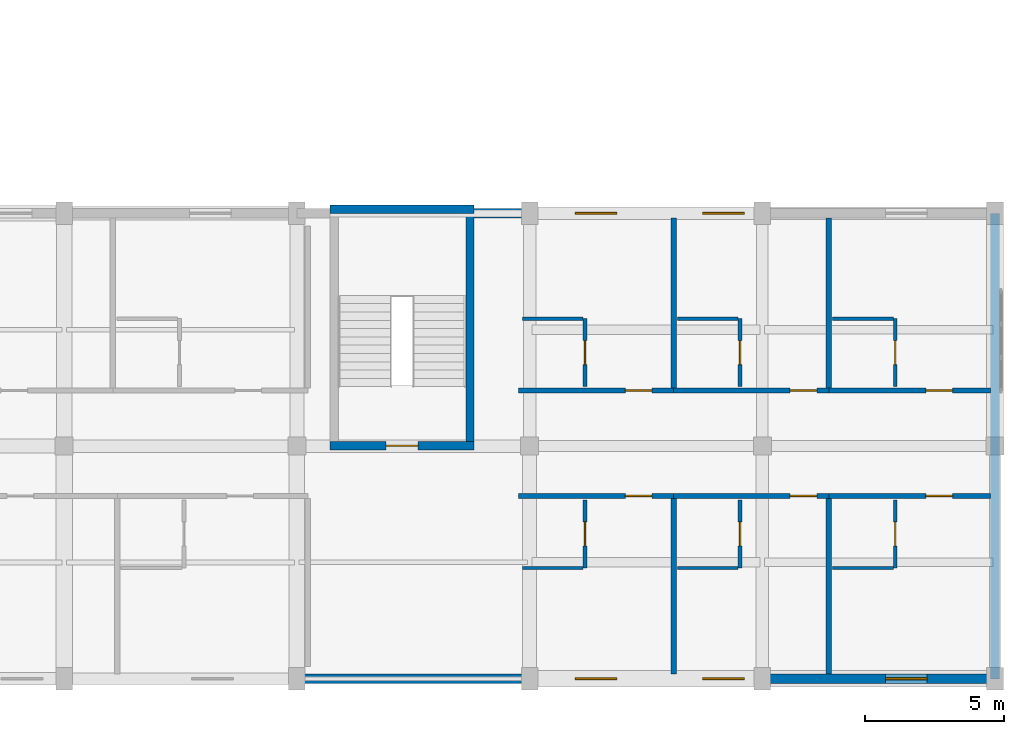
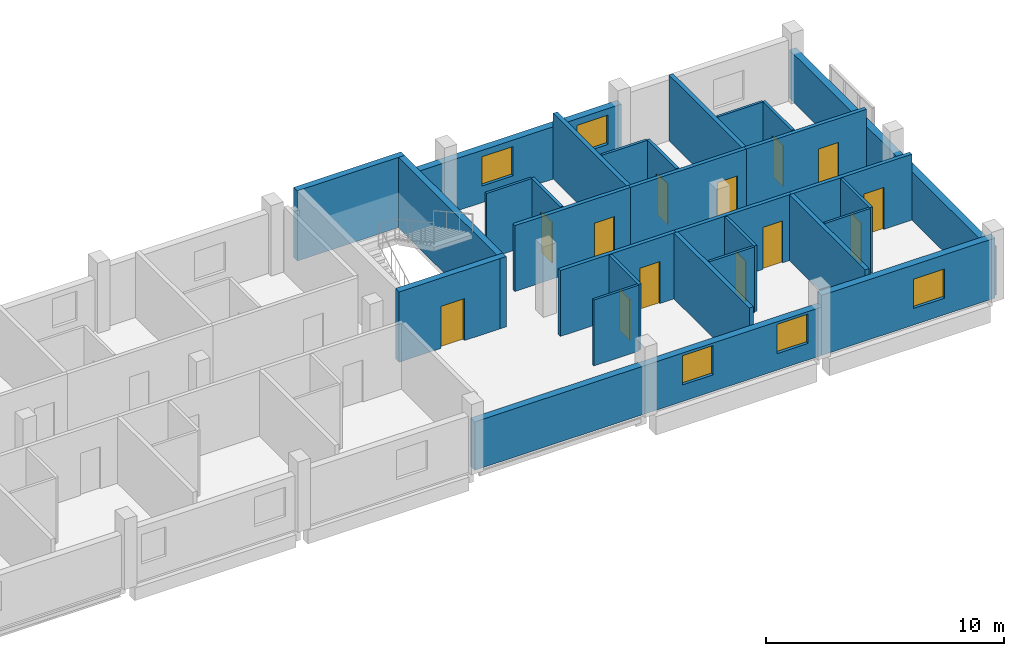
# One storey, part 22 of 26: 29 walls, 13 doors, 5 windows, 18 openings.
"""IFC4 building model written with IfcOpenShell, lengths in metres."""

from ifc_helpers import new_model, si_unit, derived_unit, direction, frame, frame_2d, origin, place, context, subcontext, project, spatial, rectangle, extrude, material, layer, layer_set, type_object, element, fill, save


model = new_model("IFC4")

# Units and contexts
model_context = context("Model", 3, precision=1e-05, world=origin(), true_north=direction((0.0, 1.0)))
body_context = subcontext(model_context, "Body", "Model", "MODEL_VIEW")
ifc_project = project(units=[si_unit("LENGTHUNIT", "METRE"), si_unit("AREAUNIT", "SQUARE_METRE"), si_unit("VOLUMEUNIT", "CUBIC_METRE"), si_unit("PLANEANGLEUNIT", "RADIAN"), si_unit("MASSUNIT", "GRAM", prefix="KILO"), derived_unit("THERMALTRANSMITTANCEUNIT", [(si_unit("POWERUNIT", "WATT"), 1), (si_unit("LENGTHUNIT", "METRE"), -2), (si_unit("THERMODYNAMICTEMPERATUREUNIT", "KELVIN"), -1)])], contexts=[model_context])

# Site, building, storey
site_placement = place(None, origin())
site = spatial("IfcSite", under=ifc_project, at=site_placement, CompositionType="ELEMENT")
building_placement = place(site_placement, origin())
building = spatial("IfcBuilding", under=site, at=building_placement, Name="Barrovel Congress Hotel", CompositionType="ELEMENT")
storey_placement = place(building_placement, frame((0.0, 0.0, 21.89990234375)))
storey = spatial("IfcBuildingStorey", under=building, at=storey_placement, Name="L05", CompositionType="ELEMENT", Elevation=21.89990234375)

# Wall
ifc_material_1 = material(Name="Fired Clay Brick Masonry", Category="masonry")
ifc_layer_1 = layer(ifc_material_1, 0.340087890625)
ifc_layer_set_1 = layer_set([ifc_layer_1], Name="Fired Clay Brick Masonry")
wall_type_1 = type_object("IfcWallType", Name="EW-BRK340", PredefinedType="STANDARD", material=ifc_layer_set_1)
wall_1_placement = place(storey_placement, frame((168.0, 4.199951171875, 0.0), z_axis=(0.0, 0.0, 1.0), x_axis=(0.0, 1.0, 0.0)))
element("IfcWall", 1, at=wall_1_placement, inside=storey, type_object=wall_type_1, Name="EW:L05:HS-E", PredefinedType="STANDARD", context=body_context, shape_type="SweptSolid", body=[
    extrude(rectangle(XDim=16.800048828125, YDim=0.340087890625, at=frame_2d((8.39990234375, 0.0))), origin(), (0.0, 0.0, 1.0), 2.47998046875),
])

# Wall, openings, windows
wall_2_placement = place(storey_placement, frame((159.60009765625, 21.0, 0.0), z_axis=(0.0, 0.0, 1.0), x_axis=(-1.0, 0.0, 0.0)))
wall_2 = element("IfcWall", 2, at=wall_2_placement, inside=storey, type_object=wall_type_1, Name="EW:L05:HS-NE-1", PredefinedType="STANDARD", context=body_context, shape_type="SweptSolid", body=[
    extrude(rectangle(XDim=10.400146484375, YDim=0.340087890625, at=frame_2d((5.2001953125, 0.0))), origin(), (0.0, 0.0, 1.0), 2.68017578125),
])
opening_1_placement = place(wall_2_placement, frame((5.25, 0.0, 0.85009765625)))
opening_1 = element("IfcOpeningElement", 3, at=opening_1_placement, cuts=wall_2, Name="Opening WN-07", PredefinedType="OPENING", context=body_context, shape_type="SweptSolid", body=[
    extrude(rectangle(XDim=1.5, YDim=1.5, at=frame_2d((0.75, 0.75))), frame((0.0, 0.18017578125, 0.0), z_axis=(0.0, -1.0, 0.0), x_axis=(1.0, 0.0, 0.0)), (0.0, 0.0, 1.0), 0.360107421875),
])
opening_2_placement = place(wall_2_placement, frame((0.64990234375, 0.0, 0.85009765625)))
opening_2 = element("IfcOpeningElement", 4, at=opening_2_placement, cuts=wall_2, Name="Opening WN-07", PredefinedType="OPENING", context=body_context, shape_type="SweptSolid", body=[
    extrude(rectangle(XDim=1.5, YDim=1.5, at=frame_2d((0.75, 0.75))), frame((0.0, 0.18017578125, 0.0), z_axis=(0.0, -1.0, 0.0), x_axis=(1.0, 0.0, 0.0)), (0.0, 0.0, 1.0), 0.360107421875),
])
ifc_material_2 = material(Name="Double Low-E Insulated Glazing", Category="glass")
window_type = type_object("IfcWindowType", Name="WIN-WN-07", PartitioningType="SINGLE_PANEL", PredefinedType="WINDOW", material=ifc_material_2)
window_1_placement = place(opening_1_placement, origin())
window_1 = element("IfcWindow", 5, at=window_1_placement, inside=storey, type_object=window_type, Name="WIN:L05:U30", OverallHeight=1.5, OverallWidth=1.5, PartitioningType="SINGLE_PANEL", PredefinedType="WINDOW", context=body_context, shape_type="SweptSolid", body=[
    extrude(rectangle(XDim=1.5, YDim=1.5, at=frame_2d((0.75, 0.75))), frame((0.0, 0.030029296875, 0.0), z_axis=(0.0, -1.0, 0.0), x_axis=(1.0, 0.0, 0.0)), (0.0, 0.0, 1.0), 0.06005859375),
])
fill(opening_1, window_1)
window_2_placement = place(opening_2_placement, origin())
window_2 = element("IfcWindow", 6, at=window_2_placement, inside=storey, type_object=window_type, Name="WIN:L05:U31", OverallHeight=1.5, OverallWidth=1.5, PartitioningType="SINGLE_PANEL", PredefinedType="WINDOW", context=body_context, shape_type="SweptSolid", body=[
    extrude(rectangle(XDim=1.5, YDim=1.5, at=frame_2d((0.75, 0.75))), frame((0.0, 0.030029296875, 0.0), z_axis=(0.0, -1.0, 0.0), x_axis=(1.0, 0.0, 0.0)), (0.0, 0.0, 1.0), 0.06005859375),
])
fill(opening_2, window_2)

wall_3_placement = place(storey_placement, frame((142.800048828125, 4.199951171875, 0.0), z_axis=(0.0, 0.0, 1.0), x_axis=(1.0, 0.0, 0.0)))
wall_3 = element("IfcWall", 7, at=wall_3_placement, inside=storey, type_object=wall_type_1, Name="EW:L05:HS-S:P14", PredefinedType="STANDARD", context=body_context, shape_type="SweptSolid", body=[
    extrude(rectangle(XDim=16.800048828125, YDim=0.340087890625, at=frame_2d((8.39990234375, 0.0))), origin(), (0.0, 0.0, 1.0), 2.47998046875),
])
opening_3_placement = place(wall_3_placement, frame((10.050048828125, 0.0, 0.85009765625)))
opening_3 = element("IfcOpeningElement", 8, at=opening_3_placement, cuts=wall_3, Name="Opening WN-07", PredefinedType="OPENING", context=body_context, shape_type="SweptSolid", body=[
    extrude(rectangle(XDim=1.5, YDim=1.5, at=frame_2d((0.75, 0.75))), frame((0.0, 0.18017578125, 0.0), z_axis=(0.0, -1.0, 0.0), x_axis=(1.0, 0.0, 0.0)), (0.0, 0.0, 1.0), 0.360107421875),
])
opening_4_placement = place(wall_3_placement, frame((14.64990234375, 0.0, 0.85009765625)))
opening_4 = element("IfcOpeningElement", 9, at=opening_4_placement, cuts=wall_3, Name="Opening WN-07", PredefinedType="OPENING", context=body_context, shape_type="SweptSolid", body=[
    extrude(rectangle(XDim=1.5, YDim=1.5, at=frame_2d((0.75, 0.75))), frame((0.0, 0.18017578125, 0.0), z_axis=(0.0, -1.0, 0.0), x_axis=(1.0, 0.0, 0.0)), (0.0, 0.0, 1.0), 0.360107421875),
])
window_3_placement = place(opening_3_placement, origin())
window_3 = element("IfcWindow", 10, at=window_3_placement, inside=storey, type_object=window_type, Name="WIN:L05:U19", OverallHeight=1.5, OverallWidth=1.5, PartitioningType="SINGLE_PANEL", PredefinedType="WINDOW", context=body_context, shape_type="SweptSolid", body=[
    extrude(rectangle(XDim=1.5, YDim=1.5, at=frame_2d((0.75, 0.75))), frame((0.0, 0.030029296875, 0.0), z_axis=(0.0, -1.0, 0.0), x_axis=(1.0, 0.0, 0.0)), (0.0, 0.0, 1.0), 0.06005859375),
])
fill(opening_3, window_3)
window_4_placement = place(opening_4_placement, origin())
window_4 = element("IfcWindow", 11, at=window_4_placement, inside=storey, type_object=window_type, Name="WIN:L05:U20", OverallHeight=1.5, OverallWidth=1.5, PartitioningType="SINGLE_PANEL", PredefinedType="WINDOW", context=body_context, shape_type="SweptSolid", body=[
    extrude(rectangle(XDim=1.5, YDim=1.5, at=frame_2d((0.75, 0.75))), frame((0.0, 0.030029296875, 0.0), z_axis=(0.0, -1.0, 0.0), x_axis=(1.0, 0.0, 0.0)), (0.0, 0.0, 1.0), 0.06005859375),
])
fill(opening_4, window_4)

# Wall, opening, window
wall_4_placement = place(storey_placement, frame((159.60009765625, 4.199951171875, 0.0), z_axis=(0.0, 0.0, 1.0), x_axis=(1.0, 0.0, 0.0)))
wall_4 = element("IfcWall", 12, at=wall_4_placement, inside=storey, type_object=wall_type_1, Name="EW:L05:HS-S:P15", PredefinedType="STANDARD", context=body_context, shape_type="SweptSolid", body=[
    extrude(rectangle(XDim=8.39990234375, YDim=0.340087890625, at=frame_2d((4.199951171875, 0.0))), origin(), (0.0, 0.0, 1.0), 3.0751953125),
])
opening_5_placement = place(wall_4_placement, frame((4.449951171875, 0.0, 0.85009765625)))
opening_5 = element("IfcOpeningElement", 13, at=opening_5_placement, cuts=wall_4, Name="Opening WN-07", PredefinedType="OPENING", context=body_context, shape_type="SweptSolid", body=[
    extrude(rectangle(XDim=1.5, YDim=1.5, at=frame_2d((0.75, 0.75))), frame((0.0, 0.18017578125, 0.0), z_axis=(0.0, -1.0, 0.0), x_axis=(1.0, 0.0, 0.0)), (0.0, 0.0, 1.0), 0.360107421875),
])
window_5_placement = place(opening_5_placement, origin())
window_5 = element("IfcWindow", 14, at=window_5_placement, inside=storey, type_object=window_type, Name="WIN:L05:U21", OverallHeight=1.5, OverallWidth=1.5, PartitioningType="SINGLE_PANEL", PredefinedType="WINDOW", context=body_context, shape_type="SweptSolid", body=[
    extrude(rectangle(XDim=1.5, YDim=1.5, at=frame_2d((0.75, 0.75))), frame((0.0, 0.030029296875, 0.0), z_axis=(0.0, -1.0, 0.0), x_axis=(1.0, 0.0, 0.0)), (0.0, 0.0, 1.0), 0.06005859375),
])
fill(opening_5, window_5)

# Wall, opening, door
ifc_material_3 = material(Name="Gypsum Acoustic Stud", Category="gypsum")
ifc_layer_2 = layer(ifc_material_3, 0.179931640625)
ifc_layer_set_2 = layer_set([ifc_layer_2], Name="Gypsum Acoustic Stud")
wall_type_2 = type_object("IfcWallType", Name="PW-ACU-180", PredefinedType="PARTITIONING", material=ifc_layer_set_2)
wall_5_placement = place(storey_placement, frame((150.800048828125, 10.800048828125, 0.0), z_axis=(0.0, 0.0, 1.0), x_axis=(1.0, 0.0, 0.0)))
wall_5 = element("IfcWall", 15, at=wall_5_placement, inside=storey, type_object=wall_type_2, Name="PW:L05:U19:COR", PredefinedType="PARTITIONING", context=body_context, shape_type="SweptSolid", body=[
    extrude(rectangle(XDim=5.599853515625, YDim=0.179931640625, at=frame_2d((2.7998046875, 0.0))), origin(), (0.0, 0.0, 1.0), 3.375),
])
opening_6_placement = place(wall_5_placement, frame((3.85888671875, 0.0, 0.0)))
opening_6 = element("IfcOpeningElement", 16, at=opening_6_placement, cuts=wall_5, Name="Opening ID-HTL", PredefinedType="OPENING", context=body_context, shape_type="SweptSolid", body=[
    extrude(rectangle(XDim=0.9599609375, YDim=2.14990234375, at=frame_2d((0.47998046875, 1.074951171875))), frame((0.0, 0.10009765625, 0.0), z_axis=(0.0, -1.0, 0.0), x_axis=(1.0, 0.0, 0.0)), (0.0, 0.0, 1.0), 0.199951171875),
])
ifc_material_4 = material(Name="Solid Oak Acoustic Timber Door", Category="wood")
door_type_1 = type_object("IfcDoorType", Name="IDR-ID-HTL", OperationType="NOTDEFINED", PredefinedType="DOOR", material=ifc_material_4)
door_1_placement = place(opening_6_placement, origin())
door_1 = element("IfcDoor", 17, at=door_1_placement, inside=storey, type_object=door_type_1, Name="DR:L05:U19:ENT", OperationType="SINGLE_SWING_RIGHT", OverallHeight=2.14990234375, OverallWidth=0.9599609375, PredefinedType="DOOR", context=body_context, shape_type="SweptSolid", body=[
    extrude(rectangle(XDim=0.9599609375, YDim=2.14990234375, at=frame_2d((0.47998046875, 1.074951171875))), frame((0.0, 0.02490234375, 0.0), z_axis=(0.0, -1.0, 0.0), x_axis=(1.0, 0.0, 0.0)), (0.0, 0.0, 1.0), 0.050048828125),
])
fill(opening_6, door_1)

wall_6_placement = place(storey_placement, frame((156.39990234375, 10.800048828125, 0.0), z_axis=(0.0, 0.0, 1.0), x_axis=(1.0, 0.0, 0.0)))
wall_6 = element("IfcWall", 18, at=wall_6_placement, inside=storey, type_object=wall_type_2, Name="PW:L05:U20:COR", PredefinedType="PARTITIONING", context=body_context, shape_type="SweptSolid", body=[
    extrude(rectangle(XDim=5.60009765625, YDim=0.179931640625, at=frame_2d((2.800048828125, 0.0))), origin(), (0.0, 0.0, 1.0), 3.375),
])
opening_7_placement = place(wall_6_placement, frame((4.208984375, 0.0, 0.0)))
opening_7 = element("IfcOpeningElement", 19, at=opening_7_placement, cuts=wall_6, Name="Opening ID-HTL", PredefinedType="OPENING", context=body_context, shape_type="SweptSolid", body=[
    extrude(rectangle(XDim=0.9599609375, YDim=2.14990234375, at=frame_2d((0.47998046875, 1.074951171875))), frame((0.0, 0.10009765625, 0.0), z_axis=(0.0, -1.0, 0.0), x_axis=(1.0, 0.0, 0.0)), (0.0, 0.0, 1.0), 0.199951171875),
])
door_2_placement = place(opening_7_placement, origin())
door_2 = element("IfcDoor", 20, at=door_2_placement, inside=storey, type_object=door_type_1, Name="DR:L05:U20:ENT", OperationType="SINGLE_SWING_RIGHT", OverallHeight=2.14990234375, OverallWidth=0.9599609375, PredefinedType="DOOR", context=body_context, shape_type="SweptSolid", body=[
    extrude(rectangle(XDim=0.9599609375, YDim=2.14990234375, at=frame_2d((0.47998046875, 1.074951171875))), frame((0.0, 0.02490234375, 0.0), z_axis=(0.0, -1.0, 0.0), x_axis=(1.0, 0.0, 0.0)), (0.0, 0.0, 1.0), 0.050048828125),
])
fill(opening_7, door_2)

wall_7_placement = place(storey_placement, frame((162.0, 10.800048828125, 0.0), z_axis=(0.0, 0.0, 1.0), x_axis=(1.0, 0.0, 0.0)))
wall_7 = element("IfcWall", 21, at=wall_7_placement, inside=storey, type_object=wall_type_2, Name="PW:L05:U21:COR", PredefinedType="PARTITIONING", context=body_context, shape_type="SweptSolid", body=[
    extrude(rectangle(XDim=5.830078125, YDim=0.179931640625, at=frame_2d((2.9150390625, 0.0))), origin(), (0.0, 0.0, 1.0), 3.375),
])
opening_8_placement = place(wall_7_placement, frame((3.509033203125, 0.0, 0.0)))
opening_8 = element("IfcOpeningElement", 22, at=opening_8_placement, cuts=wall_7, Name="Opening ID-HTL", PredefinedType="OPENING", context=body_context, shape_type="SweptSolid", body=[
    extrude(rectangle(XDim=0.9599609375, YDim=2.14990234375, at=frame_2d((0.47998046875, 1.074951171875))), frame((0.0, 0.10009765625, 0.0), z_axis=(0.0, -1.0, 0.0), x_axis=(1.0, 0.0, 0.0)), (0.0, 0.0, 1.0), 0.199951171875),
])
door_3_placement = place(opening_8_placement, origin())
door_3 = element("IfcDoor", 23, at=door_3_placement, inside=storey, type_object=door_type_1, Name="DR:L05:U21:ENT", OperationType="SINGLE_SWING_RIGHT", OverallHeight=2.14990234375, OverallWidth=0.9599609375, PredefinedType="DOOR", context=body_context, shape_type="SweptSolid", body=[
    extrude(rectangle(XDim=0.9599609375, YDim=2.14990234375, at=frame_2d((0.47998046875, 1.074951171875))), frame((0.0, 0.02490234375, 0.0), z_axis=(0.0, -1.0, 0.0), x_axis=(1.0, 0.0, 0.0)), (0.0, 0.0, 1.0), 0.050048828125),
])
fill(opening_8, door_3)

wall_8_placement = place(storey_placement, frame((150.800048828125, 14.60009765625, 0.0), z_axis=(0.0, 0.0, 1.0), x_axis=(1.0, 0.0, 0.0)))
wall_8 = element("IfcWall", 24, at=wall_8_placement, inside=storey, type_object=wall_type_2, Name="PW:L05:U30:COR", PredefinedType="PARTITIONING", context=body_context, shape_type="SweptSolid", body=[
    extrude(rectangle(XDim=5.599853515625, YDim=0.179931640625, at=frame_2d((2.7998046875, 0.0))), origin(), (0.0, 0.0, 1.0), 3.375),
])
opening_9_placement = place(wall_8_placement, frame((3.85888671875, 0.0, 0.0)))
opening_9 = element("IfcOpeningElement", 25, at=opening_9_placement, cuts=wall_8, Name="Opening ID-HTL", PredefinedType="OPENING", context=body_context, shape_type="SweptSolid", body=[
    extrude(rectangle(XDim=0.9599609375, YDim=2.14990234375, at=frame_2d((0.47998046875, 1.074951171875))), frame((0.0, 0.10009765625, 0.0), z_axis=(0.0, -1.0, 0.0), x_axis=(1.0, 0.0, 0.0)), (0.0, 0.0, 1.0), 0.199951171875),
])
door_4_placement = place(opening_9_placement, origin())
door_4 = element("IfcDoor", 26, at=door_4_placement, inside=storey, type_object=door_type_1, Name="DR:L05:U30:ENT", OperationType="SINGLE_SWING_RIGHT", OverallHeight=2.14990234375, OverallWidth=0.9599609375, PredefinedType="DOOR", context=body_context, shape_type="SweptSolid", body=[
    extrude(rectangle(XDim=0.9599609375, YDim=2.14990234375, at=frame_2d((0.47998046875, 1.074951171875))), frame((0.0, 0.02490234375, 0.0), z_axis=(0.0, -1.0, 0.0), x_axis=(1.0, 0.0, 0.0)), (0.0, 0.0, 1.0), 0.050048828125),
])
fill(opening_9, door_4)

wall_9_placement = place(storey_placement, frame((156.39990234375, 14.60009765625, 0.0), z_axis=(0.0, 0.0, 1.0), x_axis=(1.0, 0.0, 0.0)))
wall_9 = element("IfcWall", 27, at=wall_9_placement, inside=storey, type_object=wall_type_2, Name="PW:L05:U31:COR", PredefinedType="PARTITIONING", context=body_context, shape_type="SweptSolid", body=[
    extrude(rectangle(XDim=5.60009765625, YDim=0.179931640625, at=frame_2d((2.800048828125, 0.0))), origin(), (0.0, 0.0, 1.0), 3.375),
])
opening_10_placement = place(wall_9_placement, frame((4.208984375, 0.0, 0.0)))
opening_10 = element("IfcOpeningElement", 28, at=opening_10_placement, cuts=wall_9, Name="Opening ID-HTL", PredefinedType="OPENING", context=body_context, shape_type="SweptSolid", body=[
    extrude(rectangle(XDim=0.9599609375, YDim=2.14990234375, at=frame_2d((0.47998046875, 1.074951171875))), frame((0.0, 0.10009765625, 0.0), z_axis=(0.0, -1.0, 0.0), x_axis=(1.0, 0.0, 0.0)), (0.0, 0.0, 1.0), 0.199951171875),
])
door_5_placement = place(opening_10_placement, origin())
door_5 = element("IfcDoor", 29, at=door_5_placement, inside=storey, type_object=door_type_1, Name="DR:L05:U31:ENT", OperationType="SINGLE_SWING_RIGHT", OverallHeight=2.14990234375, OverallWidth=0.9599609375, PredefinedType="DOOR", context=body_context, shape_type="SweptSolid", body=[
    extrude(rectangle(XDim=0.9599609375, YDim=2.14990234375, at=frame_2d((0.47998046875, 1.074951171875))), frame((0.0, 0.02490234375, 0.0), z_axis=(0.0, -1.0, 0.0), x_axis=(1.0, 0.0, 0.0)), (0.0, 0.0, 1.0), 0.050048828125),
])
fill(opening_10, door_5)

wall_10_placement = place(storey_placement, frame((162.0, 14.60009765625, 0.0), z_axis=(0.0, 0.0, 1.0), x_axis=(1.0, 0.0, 0.0)))
wall_10 = element("IfcWall", 30, at=wall_10_placement, inside=storey, type_object=wall_type_2, Name="PW:L05:U32:COR", PredefinedType="PARTITIONING", context=body_context, shape_type="SweptSolid", body=[
    extrude(rectangle(XDim=5.830078125, YDim=0.179931640625, at=frame_2d((2.9150390625, 0.0))), origin(), (0.0, 0.0, 1.0), 3.375),
])
opening_11_placement = place(wall_10_placement, frame((3.509033203125, 0.0, 0.0)))
opening_11 = element("IfcOpeningElement", 31, at=opening_11_placement, cuts=wall_10, Name="Opening ID-HTL", PredefinedType="OPENING", context=body_context, shape_type="SweptSolid", body=[
    extrude(rectangle(XDim=0.9599609375, YDim=2.14990234375, at=frame_2d((0.47998046875, 1.074951171875))), frame((0.0, 0.10009765625, 0.0), z_axis=(0.0, -1.0, 0.0), x_axis=(1.0, 0.0, 0.0)), (0.0, 0.0, 1.0), 0.199951171875),
])
door_6_placement = place(opening_11_placement, origin())
door_6 = element("IfcDoor", 32, at=door_6_placement, inside=storey, type_object=door_type_1, Name="DR:L05:U32:ENT", OperationType="SINGLE_SWING_RIGHT", OverallHeight=2.14990234375, OverallWidth=0.9599609375, PredefinedType="DOOR", context=body_context, shape_type="SweptSolid", body=[
    extrude(rectangle(XDim=0.9599609375, YDim=2.14990234375, at=frame_2d((0.47998046875, 1.074951171875))), frame((0.0, 0.02490234375, 0.0), z_axis=(0.0, -1.0, 0.0), x_axis=(1.0, 0.0, 0.0)), (0.0, 0.0, 1.0), 0.050048828125),
])
fill(opening_11, door_6)

# Walls
ifc_layer_3 = layer(ifc_material_3, 0.1201171875)
ifc_layer_set_3 = layer_set([ifc_layer_3], Name="Gypsum Acoustic Stud")
wall_type_3 = type_object("IfcWallType", Name="PW-INT-120", PredefinedType="PARTITIONING", material=ifc_layer_set_3)
for number, where, z_axis, x_axis, name in (
    (33, (150.93994140625, 8.199951171875, 0.0), (0.0, 0.0, 1.0), (1.0, 0.0, 0.0), "PW:L05:U19:B2"),
    (34, (156.5400390625, 8.199951171875, 0.0), (0.0, 0.0, 1.0), (1.0, 0.0, 0.0), "PW:L05:U20:B2"),
):
    element("IfcWall", number, at=place(storey_placement, frame(where, z_axis=z_axis, x_axis=x_axis)), inside=storey, type_object=wall_type_3, Name=name, PredefinedType="PARTITIONING", context=body_context, shape_type="SweptSolid", body=[
        extrude(rectangle(XDim=2.18994140625, YDim=0.1201171875, at=frame_2d((1.094970703125, 0.0))), origin(), (0.0, 0.0, 1.0), 3.375),
    ])
wall_11_placement = place(storey_placement, frame((162.139892578125, 8.199951171875, 0.0), z_axis=(0.0, 0.0, 1.0), x_axis=(1.0, 0.0, 0.0)))
element("IfcWall", 35, at=wall_11_placement, inside=storey, type_object=wall_type_3, Name="PW:L05:U21:B2", PredefinedType="PARTITIONING", context=body_context, shape_type="SweptSolid", body=[
    extrude(rectangle(XDim=2.190185546875, YDim=0.1201171875, at=frame_2d((1.09521484375, 0.0))), origin(), (0.0, 0.0, 1.0), 3.375),
])
for number, where, z_axis, x_axis, name in (
    (36, (150.93994140625, 17.199951171875, 0.0), (0.0, 0.0, 1.0), (1.0, 0.0, 0.0), "PW:L05:U30:B2"),
    (37, (156.5400390625, 17.199951171875, 0.0), (0.0, 0.0, 1.0), (1.0, 0.0, 0.0), "PW:L05:U31:B2"),
):
    element("IfcWall", number, at=place(storey_placement, frame(where, z_axis=z_axis, x_axis=x_axis)), inside=storey, type_object=wall_type_3, Name=name, PredefinedType="PARTITIONING", context=body_context, shape_type="SweptSolid", body=[
        extrude(rectangle(XDim=2.18994140625, YDim=0.1201171875, at=frame_2d((1.094970703125, 0.0))), origin(), (0.0, 0.0, 1.0), 3.375),
    ])
wall_12_placement = place(storey_placement, frame((162.139892578125, 17.199951171875, 0.0), z_axis=(0.0, 0.0, 1.0), x_axis=(1.0, 0.0, 0.0)))
element("IfcWall", 38, at=wall_12_placement, inside=storey, type_object=wall_type_3, Name="PW:L05:U32:B2", PredefinedType="PARTITIONING", context=body_context, shape_type="SweptSolid", body=[
    extrude(rectangle(XDim=2.190185546875, YDim=0.1201171875, at=frame_2d((1.09521484375, 0.0))), origin(), (0.0, 0.0, 1.0), 3.375),
])
ifc_layer_4 = layer(ifc_material_1, 0.199951171875)
ifc_layer_set_4 = layer_set([ifc_layer_4], Name="Fired Clay Brick Masonry")
wall_type_4 = type_object("IfcWallType", Name="PW-MAS-200", PredefinedType="PARTITIONING", material=ifc_layer_set_4)
for number, where, z_axis, x_axis, name in (
    (39, (156.39990234375, 4.3701171875, 0.0), (0.0, 0.0, 1.0), (0.0, 1.0, 0.0), "PW:L05:U19:DEM"),
    (40, (162.0, 4.3701171875, 0.0), (0.0, 0.0, 1.0), (0.0, 1.0, 0.0), "PW:L05:U20:DEM"),
):
    element("IfcWall", number, at=place(storey_placement, frame(where, z_axis=z_axis, x_axis=x_axis)), inside=storey, type_object=wall_type_4, Name=name, PredefinedType="PARTITIONING", context=body_context, shape_type="SweptSolid", body=[
        extrude(rectangle(XDim=6.33984375, YDim=0.199951171875, at=frame_2d((3.169921875, 0.0))), origin(), (0.0, 0.0, 1.0), 3.375),
    ])
for number, where, z_axis, x_axis, name in (
    (41, (156.39990234375, 14.68994140625, 0.0), (0.0, 0.0, 1.0), (0.0, 1.0, 0.0), "PW:L05:U30:DEM"),
    (42, (162.0, 14.68994140625, 0.0), (0.0, 0.0, 1.0), (0.0, 1.0, 0.0), "PW:L05:U31:DEM"),
):
    element("IfcWall", number, at=place(storey_placement, frame(where, z_axis=z_axis, x_axis=x_axis)), inside=storey, type_object=wall_type_4, Name=name, PredefinedType="PARTITIONING", context=body_context, shape_type="SweptSolid", body=[
        extrude(rectangle(XDim=6.14013671875, YDim=0.199951171875, at=frame_2d((3.070068359375, 0.0))), origin(), (0.0, 0.0, 1.0), 3.375),
    ])

# Wall, opening, door
ifc_material_5 = material(Name="Gypsum Moisture Board", Category="gypsum")
ifc_layer_5 = layer(ifc_material_5, 0.139892578125)
ifc_layer_set_5 = layer_set([ifc_layer_5], Name="Gypsum Moisture Board")
wall_type_5 = type_object("IfcWallType", Name="PW-WET-140", PredefinedType="PARTITIONING", material=ifc_layer_set_5)
wall_13_placement = place(storey_placement, frame((153.199951171875, 8.199951171875, 0.0), z_axis=(0.0, 0.0, 1.0), x_axis=(0.0, 1.0, 0.0)))
wall_13 = element("IfcWall", 43, at=wall_13_placement, inside=storey, type_object=wall_type_5, Name="PW:L05:U19:B1", PredefinedType="PARTITIONING", context=body_context, shape_type="SweptSolid", body=[
    extrude(rectangle(XDim=2.4599609375, YDim=0.139892578125, at=frame_2d((1.22998046875, 0.0))), origin(), (0.0, 0.0, 1.0), 3.375),
])
opening_12_placement = place(wall_13_placement, frame((0.800048828125, 0.0, 0.0)))
opening_12 = element("IfcOpeningElement", 44, at=opening_12_placement, cuts=wall_13, Name="Opening ID-ENS", PredefinedType="OPENING", context=body_context, shape_type="SweptSolid", body=[
    extrude(rectangle(XDim=0.860107421875, YDim=2.10009765625, at=frame_2d((0.43017578125, 1.050048828125))), frame((0.0, 0.080078125, 0.0), z_axis=(0.0, -1.0, 0.0), x_axis=(1.0, 0.0, 0.0)), (0.0, 0.0, 1.0), 0.159912109375),
])
ifc_material_6 = material(Name="Lacquered Timber Moisture Door", Category="wood")
door_type_2 = type_object("IfcDoorType", Name="IDR-ID-ENS", OperationType="NOTDEFINED", PredefinedType="DOOR", material=ifc_material_6)
door_7_placement = place(opening_12_placement, origin())
door_7 = element("IfcDoor", 45, at=door_7_placement, inside=storey, type_object=door_type_2, Name="DR:L05:U19:ENS", OperationType="SINGLE_SWING_LEFT", OverallHeight=2.10009765625, OverallWidth=0.860107421875, PredefinedType="DOOR", context=body_context, shape_type="SweptSolid", body=[
    extrude(rectangle(XDim=0.860107421875, YDim=2.10009765625, at=frame_2d((0.43017578125, 1.050048828125))), frame((0.0, 0.02490234375, 0.0), z_axis=(0.0, -1.0, 0.0), x_axis=(1.0, 0.0, 0.0)), (0.0, 0.0, 1.0), 0.050048828125),
])
fill(opening_12, door_7)

wall_14_placement = place(storey_placement, frame((158.800048828125, 8.199951171875, 0.0), z_axis=(0.0, 0.0, 1.0), x_axis=(0.0, 1.0, 0.0)))
wall_14 = element("IfcWall", 46, at=wall_14_placement, inside=storey, type_object=wall_type_5, Name="PW:L05:U20:B1", PredefinedType="PARTITIONING", context=body_context, shape_type="SweptSolid", body=[
    extrude(rectangle(XDim=2.4599609375, YDim=0.139892578125, at=frame_2d((1.22998046875, 0.0))), origin(), (0.0, 0.0, 1.0), 3.375),
])
opening_13_placement = place(wall_14_placement, frame((0.800048828125, 0.0, 0.0)))
opening_13 = element("IfcOpeningElement", 47, at=opening_13_placement, cuts=wall_14, Name="Opening ID-ENS", PredefinedType="OPENING", context=body_context, shape_type="SweptSolid", body=[
    extrude(rectangle(XDim=0.860107421875, YDim=2.10009765625, at=frame_2d((0.43017578125, 1.050048828125))), frame((0.0, 0.080078125, 0.0), z_axis=(0.0, -1.0, 0.0), x_axis=(1.0, 0.0, 0.0)), (0.0, 0.0, 1.0), 0.159912109375),
])
door_8_placement = place(opening_13_placement, origin())
door_8 = element("IfcDoor", 48, at=door_8_placement, inside=storey, type_object=door_type_2, Name="DR:L05:U20:ENS", OperationType="SINGLE_SWING_LEFT", OverallHeight=2.10009765625, OverallWidth=0.860107421875, PredefinedType="DOOR", context=body_context, shape_type="SweptSolid", body=[
    extrude(rectangle(XDim=0.860107421875, YDim=2.10009765625, at=frame_2d((0.43017578125, 1.050048828125))), frame((0.0, 0.02490234375, 0.0), z_axis=(0.0, -1.0, 0.0), x_axis=(1.0, 0.0, 0.0)), (0.0, 0.0, 1.0), 0.050048828125),
])
fill(opening_13, door_8)

wall_15_placement = place(storey_placement, frame((164.39990234375, 8.199951171875, 0.0), z_axis=(0.0, 0.0, 1.0), x_axis=(0.0, 1.0, 0.0)))
wall_15 = element("IfcWall", 49, at=wall_15_placement, inside=storey, type_object=wall_type_5, Name="PW:L05:U21:B1", PredefinedType="PARTITIONING", context=body_context, shape_type="SweptSolid", body=[
    extrude(rectangle(XDim=2.4599609375, YDim=0.139892578125, at=frame_2d((1.22998046875, 0.0))), origin(), (0.0, 0.0, 1.0), 3.375),
])
opening_14_placement = place(wall_15_placement, frame((0.800048828125, 0.0, 0.0)))
opening_14 = element("IfcOpeningElement", 50, at=opening_14_placement, cuts=wall_15, Name="Opening ID-ENS", PredefinedType="OPENING", context=body_context, shape_type="SweptSolid", body=[
    extrude(rectangle(XDim=0.860107421875, YDim=2.10009765625, at=frame_2d((0.43017578125, 1.050048828125))), frame((0.0, 0.080078125, 0.0), z_axis=(0.0, -1.0, 0.0), x_axis=(1.0, 0.0, 0.0)), (0.0, 0.0, 1.0), 0.159912109375),
])
door_9_placement = place(opening_14_placement, origin())
door_9 = element("IfcDoor", 51, at=door_9_placement, inside=storey, type_object=door_type_2, Name="DR:L05:U21:ENS", OperationType="SINGLE_SWING_LEFT", OverallHeight=2.10009765625, OverallWidth=0.860107421875, PredefinedType="DOOR", context=body_context, shape_type="SweptSolid", body=[
    extrude(rectangle(XDim=0.860107421875, YDim=2.10009765625, at=frame_2d((0.43017578125, 1.050048828125))), frame((0.0, 0.02490234375, 0.0), z_axis=(0.0, -1.0, 0.0), x_axis=(1.0, 0.0, 0.0)), (0.0, 0.0, 1.0), 0.050048828125),
])
fill(opening_14, door_9)

wall_16_placement = place(storey_placement, frame((153.199951171875, 14.739990234375, 0.0), z_axis=(0.0, 0.0, 1.0), x_axis=(0.0, 1.0, 0.0)))
wall_16 = element("IfcWall", 52, at=wall_16_placement, inside=storey, type_object=wall_type_5, Name="PW:L05:U30:B1", PredefinedType="PARTITIONING", context=body_context, shape_type="SweptSolid", body=[
    extrude(rectangle(XDim=2.4599609375, YDim=0.139892578125, at=frame_2d((1.22998046875, 0.0))), origin(), (0.0, 0.0, 1.0), 3.375),
])
opening_15_placement = place(wall_16_placement, frame((0.800048828125, 0.0, 0.0)))
opening_15 = element("IfcOpeningElement", 53, at=opening_15_placement, cuts=wall_16, Name="Opening ID-ENS", PredefinedType="OPENING", context=body_context, shape_type="SweptSolid", body=[
    extrude(rectangle(XDim=0.860107421875, YDim=2.10009765625, at=frame_2d((0.43017578125, 1.050048828125))), frame((0.0, 0.080078125, 0.0), z_axis=(0.0, -1.0, 0.0), x_axis=(1.0, 0.0, 0.0)), (0.0, 0.0, 1.0), 0.159912109375),
])
door_10_placement = place(opening_15_placement, origin())
door_10 = element("IfcDoor", 54, at=door_10_placement, inside=storey, type_object=door_type_2, Name="DR:L05:U30:ENS", OperationType="SINGLE_SWING_LEFT", OverallHeight=2.10009765625, OverallWidth=0.860107421875, PredefinedType="DOOR", context=body_context, shape_type="SweptSolid", body=[
    extrude(rectangle(XDim=0.860107421875, YDim=2.10009765625, at=frame_2d((0.43017578125, 1.050048828125))), frame((0.0, 0.02490234375, 0.0), z_axis=(0.0, -1.0, 0.0), x_axis=(1.0, 0.0, 0.0)), (0.0, 0.0, 1.0), 0.050048828125),
])
fill(opening_15, door_10)

wall_17_placement = place(storey_placement, frame((158.800048828125, 14.739990234375, 0.0), z_axis=(0.0, 0.0, 1.0), x_axis=(0.0, 1.0, 0.0)))
wall_17 = element("IfcWall", 55, at=wall_17_placement, inside=storey, type_object=wall_type_5, Name="PW:L05:U31:B1", PredefinedType="PARTITIONING", context=body_context, shape_type="SweptSolid", body=[
    extrude(rectangle(XDim=2.4599609375, YDim=0.139892578125, at=frame_2d((1.22998046875, 0.0))), origin(), (0.0, 0.0, 1.0), 3.375),
])
opening_16_placement = place(wall_17_placement, frame((0.800048828125, 0.0, 0.0)))
opening_16 = element("IfcOpeningElement", 56, at=opening_16_placement, cuts=wall_17, Name="Opening ID-ENS", PredefinedType="OPENING", context=body_context, shape_type="SweptSolid", body=[
    extrude(rectangle(XDim=0.860107421875, YDim=2.10009765625, at=frame_2d((0.43017578125, 1.050048828125))), frame((0.0, 0.080078125, 0.0), z_axis=(0.0, -1.0, 0.0), x_axis=(1.0, 0.0, 0.0)), (0.0, 0.0, 1.0), 0.159912109375),
])
door_11_placement = place(opening_16_placement, origin())
door_11 = element("IfcDoor", 57, at=door_11_placement, inside=storey, type_object=door_type_2, Name="DR:L05:U31:ENS", OperationType="SINGLE_SWING_LEFT", OverallHeight=2.10009765625, OverallWidth=0.860107421875, PredefinedType="DOOR", context=body_context, shape_type="SweptSolid", body=[
    extrude(rectangle(XDim=0.860107421875, YDim=2.10009765625, at=frame_2d((0.43017578125, 1.050048828125))), frame((0.0, 0.02490234375, 0.0), z_axis=(0.0, -1.0, 0.0), x_axis=(1.0, 0.0, 0.0)), (0.0, 0.0, 1.0), 0.050048828125),
])
fill(opening_16, door_11)

wall_18_placement = place(storey_placement, frame((164.39990234375, 14.739990234375, 0.0), z_axis=(0.0, 0.0, 1.0), x_axis=(0.0, 1.0, 0.0)))
wall_18 = element("IfcWall", 58, at=wall_18_placement, inside=storey, type_object=wall_type_5, Name="PW:L05:U32:B1", PredefinedType="PARTITIONING", context=body_context, shape_type="SweptSolid", body=[
    extrude(rectangle(XDim=2.4599609375, YDim=0.139892578125, at=frame_2d((1.22998046875, 0.0))), origin(), (0.0, 0.0, 1.0), 3.375),
])
opening_17_placement = place(wall_18_placement, frame((0.800048828125, 0.0, 0.0)))
opening_17 = element("IfcOpeningElement", 59, at=opening_17_placement, cuts=wall_18, Name="Opening ID-ENS", PredefinedType="OPENING", context=body_context, shape_type="SweptSolid", body=[
    extrude(rectangle(XDim=0.860107421875, YDim=2.10009765625, at=frame_2d((0.43017578125, 1.050048828125))), frame((0.0, 0.080078125, 0.0), z_axis=(0.0, -1.0, 0.0), x_axis=(1.0, 0.0, 0.0)), (0.0, 0.0, 1.0), 0.159912109375),
])
door_12_placement = place(opening_17_placement, origin())
door_12 = element("IfcDoor", 60, at=door_12_placement, inside=storey, type_object=door_type_2, Name="DR:L05:U32:ENS", OperationType="SINGLE_SWING_LEFT", OverallHeight=2.10009765625, OverallWidth=0.860107421875, PredefinedType="DOOR", context=body_context, shape_type="SweptSolid", body=[
    extrude(rectangle(XDim=0.860107421875, YDim=2.10009765625, at=frame_2d((0.43017578125, 1.050048828125))), frame((0.0, 0.02490234375, 0.0), z_axis=(0.0, -1.0, 0.0), x_axis=(1.0, 0.0, 0.0)), (0.0, 0.0, 1.0), 0.050048828125),
])
fill(opening_17, door_12)

ifc_material_7 = material(Name="Concrete C40", Category="concrete")
ifc_layer_6 = layer(ifc_material_7, 0.300048828125)
ifc_layer_set_6 = layer_set([ifc_layer_6], Name="Concrete C40")
wall_type_6 = type_object("IfcWallType", Name="SW-C40-300", PredefinedType="SHEAR", material=ifc_layer_set_6)
wall_19_placement = place(storey_placement, frame((144.0, 12.610107421875, 0.0), z_axis=(0.0, 0.0, 1.0), x_axis=(1.0, 0.0, 0.0)))
wall_19 = element("IfcWall", 61, at=wall_19_placement, inside=storey, type_object=wall_type_6, Name="SHW:XS-04:L05:S", PredefinedType="SHEAR", context=body_context, shape_type="SweptSolid", body=[
    extrude(rectangle(XDim=5.199951171875, YDim=0.300048828125, at=frame_2d((2.60009765625, 0.0))), origin(), (0.0, 0.0, 1.0), 3.60009765625),
])
opening_18_placement = place(wall_19_placement, frame((2.02490234375, 0.0, 0.0)))
opening_18 = element("IfcOpeningElement", 62, at=opening_18_placement, cuts=wall_19, Name="Opening ID-ST1", PredefinedType="OPENING", context=body_context, shape_type="SweptSolid", body=[
    extrude(rectangle(XDim=1.14990234375, YDim=2.14990234375, at=frame_2d((0.574951171875, 1.074951171875))), frame((0.0, 0.16015625, 0.0), z_axis=(0.0, -1.0, 0.0), x_axis=(1.0, 0.0, 0.0)), (0.0, 0.0, 1.0), 0.320068359375),
])
ifc_material_8 = material(Name="Painted Hollow-Metal Steel Door", Category="steel")
door_type_3 = type_object("IfcDoorType", Name="IDR-ID-ST1", OperationType="NOTDEFINED", PredefinedType="DOOR", material=ifc_material_8)
door_13_placement = place(opening_18_placement, origin())
door_13 = element("IfcDoor", 63, at=door_13_placement, inside=storey, type_object=door_type_3, Name="Stair Core Fire Door XS-04-L05", OperationType="SINGLE_SWING_RIGHT", OverallHeight=2.14990234375, OverallWidth=1.14990234375, PredefinedType="DOOR", context=body_context, shape_type="SweptSolid", body=[
    extrude(rectangle(XDim=1.14990234375, YDim=2.14990234375, at=frame_2d((0.574951171875, 1.074951171875))), frame((0.0, 0.02490234375, 0.0), z_axis=(0.0, -1.0, 0.0), x_axis=(1.0, 0.0, 0.0)), (0.0, 0.0, 1.0), 0.050048828125),
])
fill(opening_18, door_13)

# Walls
wall_20_placement = place(storey_placement, frame((149.050048828125, 12.4599609375, 0.0), z_axis=(0.0, 0.0, 1.0), x_axis=(0.0, 1.0, 0.0)))
element("IfcWall", 64, at=wall_20_placement, inside=storey, type_object=wall_type_6, Name="SHW:XS-04:L05:E", PredefinedType="SHEAR", context=body_context, shape_type="SweptSolid", body=[
    extrude(rectangle(XDim=8.840087890625, YDim=0.300048828125, at=frame_2d((4.419921875, 0.0))), origin(), (0.0, 0.0, 1.0), 3.60009765625),
])
wall_21_placement = place(storey_placement, frame((149.199951171875, 21.14990234375, 0.0), z_axis=(0.0, 0.0, 1.0), x_axis=(-1.0, 0.0, 0.0)))
element("IfcWall", 65, at=wall_21_placement, inside=storey, type_object=wall_type_6, Name="SHW:XS-04:L05:N", PredefinedType="SHEAR", context=body_context, shape_type="SweptSolid", body=[
    extrude(rectangle(XDim=5.199951171875, YDim=0.300048828125, at=frame_2d((2.60009765625, 0.0))), origin(), (0.0, 0.0, 1.0), 3.60009765625),
])

save(model, "model.ifc")
